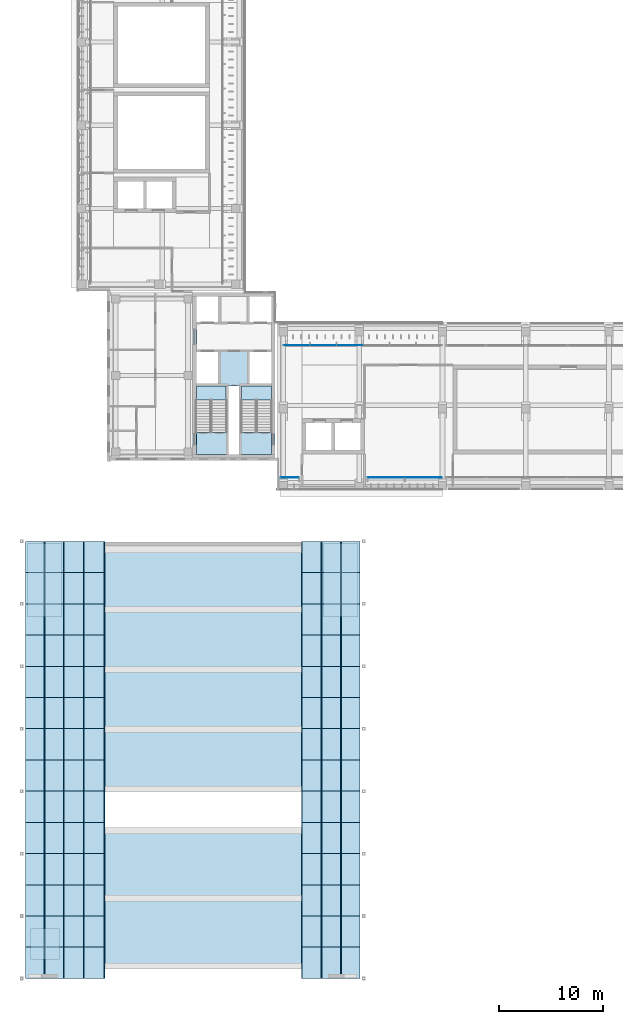
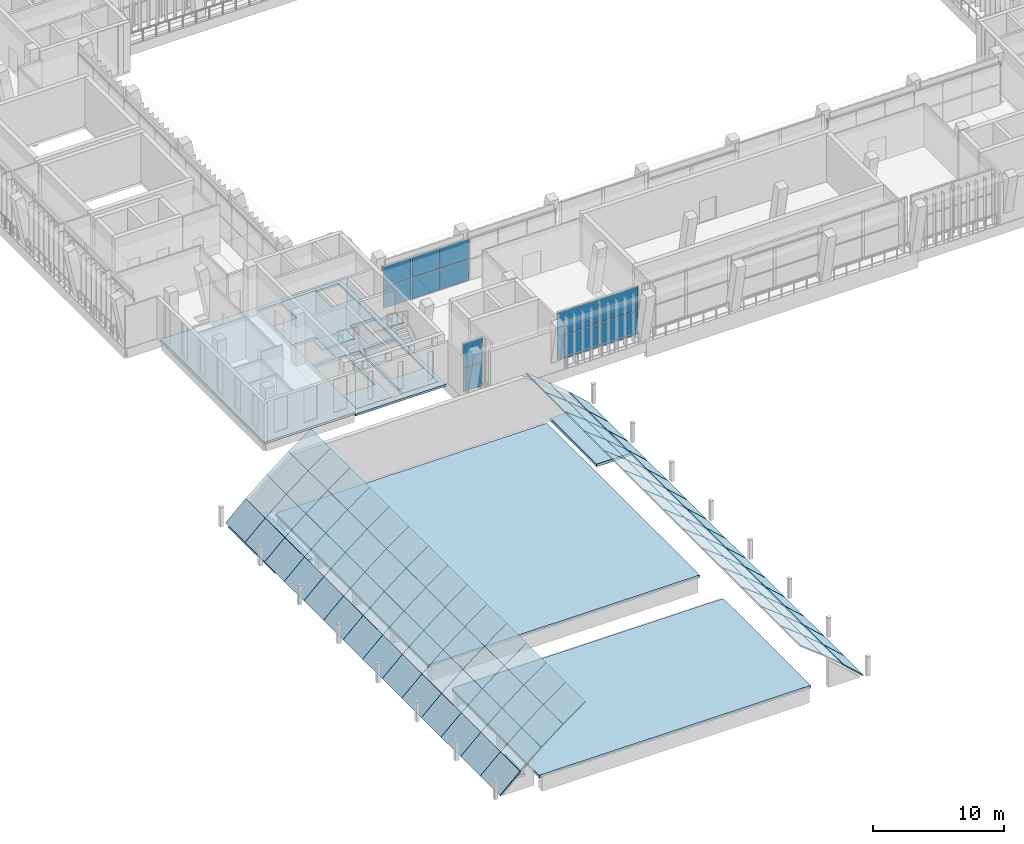
# One storey, part 49 of 89: 107 slabs, 12 plates, 5 elements without a shape of their own.
"""IFC4 building model written with IfcOpenShell, lengths in metres."""

import ifcopenshell
import ifcopenshell.guid

model = None  # the IFC model being written
_history = None  # IfcOwnerHistory: only IFC2X3 demands one
_inside = {}  # id of a spatial element -> (the spatial element, [elements in it])
_under = {}  # id of a project, library or spatial element -> (it, [spatial elements below it])
_declared = {}  # id of a project -> (the project, [libraries it declares])
_typed = {}  # id of a type object -> (the type object, [elements of that type])
_made_of = {}  # id of a material, layer set ... -> (it, [elements and type objects made of it])


def new_model(schema):
    """Start an empty IFC model of exactly this schema.

    Asked for "IFC4X3", IfcOpenShell would pick the latest addendum, in which some entities
    have other attributes; the version numbers below select the first issue.
    IFC2X3 requires an IfcOwnerHistory on every rooted entity: one is made here for all.
    """
    global model, _history
    if schema == "IFC4X3":
        model = ifcopenshell.file(schema_version=(4, 3, 0, 0))
    else:
        model = ifcopenshell.file(schema=schema)
    _inside.clear()
    _under.clear()
    _declared.clear()
    _typed.clear()
    _made_of.clear()
    _history = None
    if model.schema == "IFC2X3":
        org = make("IfcOrganization", Name="unknown")
        user = make(
            "IfcPersonAndOrganization",
            ThePerson=make("IfcPerson", FamilyName="unknown"),
            TheOrganization=org,
        )
        app = make(
            "IfcApplication",
            ApplicationDeveloper=org,
            Version="unknown",
            ApplicationFullName="unknown",
            ApplicationIdentifier="unknown",
        )
        _history = make(
            "IfcOwnerHistory",
            OwningUser=user,
            OwningApplication=app,
            ChangeAction="ADDED",
            CreationDate=0,
        )
    return model


def make(cls, **values):
    """One entity of the class cls with the attributes given. An attribute that is None is left unset."""
    return model.create_entity(
        cls, **{name: value for name, value in values.items() if value is not None}
    )


def rooted(cls, **values):
    """An entity with a GlobalId (a new one), such as an element, a storey or a relation."""
    return make(cls, GlobalId=ifcopenshell.guid.new(), OwnerHistory=_history, **values)


def si_unit(unit_type, name, prefix=None):
    """IfcSIUnit, for example si_unit("LENGTHUNIT", "METRE", prefix="MILLI")."""
    return make("IfcSIUnit", UnitType=unit_type, Prefix=prefix, Name=name)


def assignment(units):
    """IfcUnitAssignment: the units of a project."""
    return None if units is None else make("IfcUnitAssignment", Units=units)


def point(xyz):
    """IfcCartesianPoint."""
    return None if xyz is None else make("IfcCartesianPoint", Coordinates=xyz)


def direction(xyz):
    """IfcDirection."""
    return None if xyz is None else make("IfcDirection", DirectionRatios=xyz)


def frame(location, z_axis=None, x_axis=None):
    """IfcAxis2Placement3D, a coordinate frame: its origin and axes. An axis left out is left unset."""
    return make(
        "IfcAxis2Placement3D",
        Location=point(location),
        Axis=direction(z_axis),
        RefDirection=direction(x_axis),
    )


def frame_2d(location, x_axis=None):
    """IfcAxis2Placement2D, a coordinate frame in the plane: its origin and x axis."""
    return make(
        "IfcAxis2Placement2D", Location=point(location), RefDirection=direction(x_axis)
    )


def origin():
    """The frame at (0, 0, 0) with its axes left unset."""
    return frame((0.0, 0.0, 0.0))


def origin_2d():
    """The frame at (0, 0) in the plane with its x axis left unset."""
    return frame_2d((0.0, 0.0))


def place(relative_to, where):
    """IfcLocalPlacement: puts the frame where relative to a parent placement (None: the world)."""
    return make(
        "IfcLocalPlacement", PlacementRelTo=relative_to, RelativePlacement=where
    )


def context(
    kind, dimensions, precision=None, world=None, true_north=None, identifier=None
):
    """IfcGeometricRepresentationContext, for example the 3D "Model" context."""
    return make(
        "IfcGeometricRepresentationContext",
        ContextIdentifier=identifier,
        ContextType=kind,
        CoordinateSpaceDimension=dimensions,
        Precision=precision,
        WorldCoordinateSystem=world,
        TrueNorth=true_north,
    )


def subcontext(parent, identifier, kind, view, scale=None):
    """IfcGeometricRepresentationSubContext, for example "Body" below "Model"."""
    return make(
        "IfcGeometricRepresentationSubContext",
        ContextIdentifier=identifier,
        ContextType=kind,
        ParentContext=parent,
        TargetScale=scale,
        TargetView=view,
    )


def project(units=None, contexts=None):
    """IfcProject with its units and contexts."""
    return rooted(
        "IfcProject",
        Name="project",
        RepresentationContexts=contexts,
        UnitsInContext=assignment(units),
    )


def spatial(cls, under=None, at=None, **own):
    """A site, building, storey or space (cls), placed at a placement, below another one or the project."""
    s = rooted(cls, ObjectPlacement=at, **own)
    if under is not None:
        _under.setdefault(under.id(), (under, []))[1].append(s)
    return s


def polyline(points):
    """IfcPolyline through the points."""
    return make("IfcPolyline", Points=[point(p) for p in points])


def profile(cls, at=None, kind="AREA", **sizes):
    """A parametric profile (cls). Its sizes go by their IFC names, for example OverallWidth=200.0."""
    return make(cls, ProfileType=kind, Position=at, **sizes)


def rectangle(**sizes):
    """IfcRectangleProfileDef."""
    return profile("IfcRectangleProfileDef", **sizes)


def outline(outer, holes=None, kind="AREA"):
    """IfcArbitraryClosedProfileDef: a profile drawn as a closed curve; with holes, ...WithVoids."""
    if holes is None:
        return make("IfcArbitraryClosedProfileDef", ProfileType=kind, OuterCurve=outer)
    return make(
        "IfcArbitraryProfileDefWithVoids",
        ProfileType=kind,
        OuterCurve=outer,
        InnerCurves=holes,
    )


def extrude(swept, where, along, depth):
    """IfcExtrudedAreaSolid: the profile swept, set in the frame where, extruded along a direction by depth."""
    return make(
        "IfcExtrudedAreaSolid",
        SweptArea=swept,
        Position=where,
        ExtrudedDirection=direction(along),
        Depth=depth,
    )


def shape(context_of_items, identifier, shape_type, items):
    """IfcShapeRepresentation: the items that make up one representation, for example the "Body"."""
    return make(
        "IfcShapeRepresentation",
        ContextOfItems=context_of_items,
        RepresentationIdentifier=identifier,
        RepresentationType=shape_type,
        Items=items,
    )


def material(Name=None, Category=None):
    """IfcMaterial."""
    return make("IfcMaterial", Name=Name, Category=Category)


def layer(
    of_material, thickness, ventilated=None, Name=None, Category=None, Priority=None
):
    """IfcMaterialLayer: one layer of a wall or slab, of a material (None: an air gap)."""
    return make(
        "IfcMaterialLayer",
        Material=of_material,
        LayerThickness=thickness,
        IsVentilated=ventilated,
        Name=Name,
        Category=Category,
        Priority=Priority,
    )


def layer_set(layers, Name=None):
    """IfcMaterialLayerSet."""
    return make("IfcMaterialLayerSet", MaterialLayers=layers, LayerSetName=Name)


def made_of(thing, what):
    """Note that an element or type object is made of a material, layer set ...; save() writes the relation."""
    if what is not None:
        _made_of.setdefault(what.id(), (what, []))[1].append(thing)
    return thing


def type_object(cls, material=None, **own):
    """A type object (cls), such as IfcWallType, which elements share."""
    return made_of(rooted(cls, **own), material)


def element(
    cls,
    number,
    at=None,
    inside=None,
    cuts=None,
    type_object=None,
    material=None,
    context=None,
    identifier="Body",
    shape_type=None,
    held_by="IfcProductDefinitionShape",
    body=None,
    shapes=None,
    **own,
):
    """One element of the class cls, such as IfcWall. Its Tag is "e" and its number.

    at: its placement. inside: the storey or other place that contains it. cuts: it is an
    opening in that element (IfcRelVoidsElement). A single representation is given by context,
    identifier, shape_type and body (its items); several are given by shapes. held_by: the class
    of the entity that holds the representations. save() writes the other relations.
    """
    e = rooted(cls, Tag="e%d" % number, ObjectPlacement=at, **own)
    if body is not None:
        shapes = [shape(context, identifier, shape_type, body)]
    if shapes is not None:
        e.Representation = make(held_by, Representations=shapes)
    if inside is not None:
        _inside.setdefault(inside.id(), (inside, []))[1].append(e)
    if cuts is not None:
        rooted(
            "IfcRelVoidsElement", RelatingBuildingElement=cuts, RelatedOpeningElement=e
        )
    if type_object is not None:
        _typed.setdefault(type_object.id(), (type_object, []))[1].append(e)
    return made_of(e, material)


def aggregate(whole, parts):
    """IfcRelAggregates: a whole, such as a stair, and the parts it consists of."""
    return rooted("IfcRelAggregates", RelatingObject=whole, RelatedObjects=parts)


def save(model, path):
    """Write the relations noted so far, then the file.

    IfcRelAggregates (storeys below a building ...), IfcRelContainedInSpatialStructure (elements
    in a storey), IfcRelDefinesByType, IfcRelAssociatesMaterial and IfcRelDeclares: one each for
    every whole, place, type object, material and project.
    """
    for whole, parts in _under.values():
        aggregate(whole, parts)
    for where, things in _inside.values():
        rooted(
            "IfcRelContainedInSpatialStructure",
            RelatedElements=things,
            RelatingStructure=where,
        )
    for kind, things in _typed.values():
        rooted("IfcRelDefinesByType", RelatedObjects=things, RelatingType=kind)
    for what, things in _made_of.values():
        rooted("IfcRelAssociatesMaterial", RelatedObjects=things, RelatingMaterial=what)
    for by, libraries in _declared.values():
        rooted("IfcRelDeclares", RelatingContext=by, RelatedDefinitions=libraries)
    model.write(path)


model = new_model("IFC4")

# Units and contexts
model_context = context("Model", 3, precision=1e-05, world=origin(), true_north=direction((0.0, 1.0)))
body_context = subcontext(model_context, "Body", "Model", "MODEL_VIEW")
ifc_project = project(units=[si_unit("LENGTHUNIT", "METRE"), si_unit("AREAUNIT", "SQUARE_METRE"), si_unit("VOLUMEUNIT", "CUBIC_METRE"), si_unit("PLANEANGLEUNIT", "RADIAN"), si_unit("MASSUNIT", "GRAM", prefix="KILO")], contexts=[model_context])

# Site, building, storey
site_placement = place(None, origin())
site = spatial("IfcSite", under=ifc_project, at=site_placement, CompositionType="ELEMENT")
building_placement = place(site_placement, origin())
building = spatial("IfcBuilding", under=site, at=building_placement, Name="Lantern Court Media Centre", CompositionType="ELEMENT")
storey_placement = place(building_placement, frame((0.0, 0.0, 14.39990234375)))
storey = spatial("IfcBuildingStorey", under=building, at=storey_placement, Name="L03", CompositionType="ELEMENT", Elevation=14.39990234375)

# Slab
ifc_material_1 = material(Name="Concrete C40", Category="concrete")
ifc_layer_1 = layer(ifc_material_1, 0.25)
ifc_layer_set_1 = layer_set([ifc_layer_1], Name="Concrete C40")
slab_type_1 = type_object("IfcSlabType", Name="Core floor slab 250", PredefinedType="FLOOR", material=ifc_layer_set_1)
slab_1_placement = place(storey_placement, frame((0.0, 0.0, -0.25)))
element("IfcSlab", 1, at=slab_1_placement, inside=storey, type_object=slab_type_1, Name="L03 SW core floor", PredefinedType="FLOOR", context=body_context, shape_type="SweptSolid", body=[
    extrude(outline(polyline([(16.35009765625, 58.199951171875), (16.35009765625, 61.10009765625), (18.449951171875, 61.10009765625), (18.449951171875, 63.550048828125), (21.449951171875, 63.550048828125), (21.449951171875, 61.10009765625), (23.550048828125, 61.10009765625), (23.550048828125, 58.199951171875), (21.449951171875, 58.199951171875), (21.449951171875, 55.199951171875), (23.550048828125, 55.199951171875), (23.550048828125, 54.94970703125), (20.700439453125, 54.94970703125), (20.700439453125, 50.450439453125), (23.550048828125, 50.450439453125), (23.550048828125, 48.35009765625), (20.449951171875, 48.35009765625), (20.449951171875, 54.949951171875), (19.449951171875, 54.949951171875), (19.449951171875, 48.35009765625), (16.35009765625, 48.35009765625), (16.35009765625, 50.450439453125), (19.19970703125, 50.450439453125), (19.19970703125, 54.94970703125), (16.35009765625, 54.94970703125), (16.35009765625, 55.199951171875), (18.449951171875, 55.199951171875), (18.449951171875, 58.199951171875), (16.35009765625, 58.199951171875)])), origin(), (0.0, 0.0, 1.0), 0.25),
])

# Curtain wall, plates
ifc_material_2 = material(Name="Curtain wall bay 2400")
curtain_wall_type_1 = type_object("IfcCurtainWallType", Name="Curtain wall bay 2400", PredefinedType="NOTDEFINED", material=ifc_material_2)
curtain_wall_1_placement = place(storey_placement, origin())
curtain_wall_1 = element("IfcCurtainWall", 2, at=curtain_wall_1_placement, inside=storey, type_object=curtain_wall_type_1, Name="Curtain wall S inner L03", PredefinedType="NOTDEFINED")
ifc_material_3 = material(Name="Low-iron double glazed unit glass", Category="glass")
ifc_layer_2 = layer(ifc_material_3, 0.02392578125)
ifc_layer_set_2 = layer_set([ifc_layer_2], Name="Low-iron double glazed unit glass")
plate_type_1 = type_object("IfcPlateType", Name="Curtain wall glazing unit 24", PredefinedType="CURTAIN_PANEL", material=ifc_layer_set_2)
plate_1_placement = place(storey_placement, frame((25.987548828125, 58.85009765625, 0.050048828125), z_axis=(0.0, 0.0, 1.0), x_axis=(1.0, 0.0, 0.0)))
plate_1 = element("IfcPlate", 3, at=plate_1_placement, type_object=plate_type_1, Name="CW2 panel 1.1", PredefinedType="CURTAIN_PANEL", context=body_context, shape_type="SweptSolid", body=[
    extrude(rectangle(XDim=2.47509765625, YDim=0.02392578125, at=origin_2d()), origin(), (0.0, 0.0, 1.0), 1.89990234375),
])
plate_2_placement = place(storey_placement, frame((25.987548828125, 58.85009765625, 2.000244140625), z_axis=(0.0, 0.0, 1.0), x_axis=(1.0, 0.0, 0.0)))
plate_2 = element("IfcPlate", 4, at=plate_2_placement, type_object=plate_type_1, Name="CW2 panel 1.2", PredefinedType="CURTAIN_PANEL", context=body_context, shape_type="SweptSolid", body=[
    extrude(rectangle(XDim=2.47509765625, YDim=0.02392578125, at=origin_2d()), origin(), (0.0, 0.0, 1.0), 1.89990234375),
])
plate_3_placement = place(storey_placement, frame((28.52490234375, 58.85009765625, 0.050048828125), z_axis=(0.0, 0.0, 1.0), x_axis=(1.0, 0.0, 0.0)))
plate_3 = element("IfcPlate", 5, at=plate_3_placement, type_object=plate_type_1, Name="CW2 panel 2.1", PredefinedType="CURTAIN_PANEL", context=body_context, shape_type="SweptSolid", body=[
    extrude(rectangle(XDim=2.5, YDim=0.02392578125, at=origin_2d()), origin(), (0.0, 0.0, 1.0), 1.89990234375),
])
plate_4_placement = place(storey_placement, frame((28.52490234375, 58.85009765625, 2.000244140625), z_axis=(0.0, 0.0, 1.0), x_axis=(1.0, 0.0, 0.0)))
plate_4 = element("IfcPlate", 6, at=plate_4_placement, type_object=plate_type_1, Name="CW2 panel 2.2", PredefinedType="CURTAIN_PANEL", context=body_context, shape_type="SweptSolid", body=[
    extrude(rectangle(XDim=2.5, YDim=0.02392578125, at=origin_2d()), origin(), (0.0, 0.0, 1.0), 1.89990234375),
])
plate_5_placement = place(storey_placement, frame((31.074951171875, 58.85009765625, 0.050048828125), z_axis=(0.0, 0.0, 1.0), x_axis=(1.0, 0.0, 0.0)))
plate_5 = element("IfcPlate", 7, at=plate_5_placement, type_object=plate_type_1, Name="CW2 panel 3.1", PredefinedType="CURTAIN_PANEL", context=body_context, shape_type="SweptSolid", body=[
    extrude(rectangle(XDim=2.5, YDim=0.02392578125, at=origin_2d()), origin(), (0.0, 0.0, 1.0), 1.89990234375),
])
plate_6_placement = place(storey_placement, frame((31.074951171875, 58.85009765625, 2.000244140625), z_axis=(0.0, 0.0, 1.0), x_axis=(1.0, 0.0, 0.0)))
plate_6 = element("IfcPlate", 8, at=plate_6_placement, type_object=plate_type_1, Name="CW2 panel 3.2", PredefinedType="CURTAIN_PANEL", context=body_context, shape_type="SweptSolid", body=[
    extrude(rectangle(XDim=2.5, YDim=0.02392578125, at=origin_2d()), origin(), (0.0, 0.0, 1.0), 1.89990234375),
])
aggregate(curtain_wall_1, [plate_1, plate_2, plate_3, plate_4, plate_5, plate_6])

ifc_material_4 = material(Name="Curtain wall bay 3000")
curtain_wall_type_2 = type_object("IfcCurtainWallType", Name="Curtain wall bay 3000", PredefinedType="NOTDEFINED", material=ifc_material_4)
curtain_wall_2_placement = place(storey_placement, origin())
curtain_wall_2 = element("IfcCurtainWall", 9, at=curtain_wall_2_placement, inside=storey, type_object=curtain_wall_type_2, Name="Curtain wall S outer L03", PredefinedType="NOTDEFINED")
ifc_layer_3 = layer(ifc_material_3, 0.028076171875)
ifc_layer_set_3 = layer_set([ifc_layer_3], Name="Low-iron double glazed unit glass")
plate_type_2 = type_object("IfcPlateType", Name="Curtain wall glazing unit 28", PredefinedType="CURTAIN_PANEL", material=ifc_layer_set_3)
plate_7_placement = place(storey_placement, frame((25.3349609375, 46.14990234375, 0.06005859375), z_axis=(0.0, 0.0, 1.0), x_axis=(1.0, 0.0, 0.0)))
plate_7 = element("IfcPlate", 10, at=plate_7_placement, type_object=plate_type_2, Name="CW1 panel 1.1", PredefinedType="CURTAIN_PANEL", context=body_context, shape_type="SweptSolid", body=[
    extrude(rectangle(XDim=1.7099609375, YDim=0.028076171875, at=origin_2d()), origin(), (0.0, 0.0, 1.0), 2.199951171875),
])
plate_8_placement = place(storey_placement, frame((25.3349609375, 46.14990234375, 2.3203125), z_axis=(0.0, 0.0, 1.0), x_axis=(1.0, 0.0, 0.0)))
plate_8 = element("IfcPlate", 11, at=plate_8_placement, type_object=plate_type_2, Name="CW1 panel 1.2", PredefinedType="CURTAIN_PANEL", context=body_context, shape_type="SweptSolid", body=[
    extrude(rectangle(XDim=1.7099609375, YDim=0.028076171875, at=origin_2d()), origin(), (0.0, 0.0, 1.0), 2.199951171875),
])
aggregate(curtain_wall_2, [plate_7, plate_8])

curtain_wall_3_placement = place(storey_placement, origin())
curtain_wall_3 = element("IfcCurtainWall", 12, at=curtain_wall_3_placement, inside=storey, type_object=curtain_wall_type_2, Name="Curtain wall S outer L03", PredefinedType="NOTDEFINED")
plate_9_placement = place(storey_placement, frame((34.577392578125, 46.14990234375, 0.06005859375), z_axis=(0.0, 0.0, 1.0), x_axis=(1.0, 0.0, 0.0)))
plate_9 = element("IfcPlate", 13, at=plate_9_placement, type_object=plate_type_2, Name="CW1 panel 1.1", PredefinedType="CURTAIN_PANEL", context=body_context, shape_type="SweptSolid", body=[
    extrude(rectangle(XDim=3.534912109375, YDim=0.028076171875, at=origin_2d()), origin(), (0.0, 0.0, 1.0), 2.199951171875),
])
plate_10_placement = place(storey_placement, frame((34.577392578125, 46.14990234375, 2.3203125), z_axis=(0.0, 0.0, 1.0), x_axis=(1.0, 0.0, 0.0)))
plate_10 = element("IfcPlate", 14, at=plate_10_placement, type_object=plate_type_2, Name="CW1 panel 1.2", PredefinedType="CURTAIN_PANEL", context=body_context, shape_type="SweptSolid", body=[
    extrude(rectangle(XDim=3.534912109375, YDim=0.028076171875, at=origin_2d()), origin(), (0.0, 0.0, 1.0), 2.199951171875),
])
plate_11_placement = place(storey_placement, frame((38.172607421875, 46.14990234375, 0.06005859375), z_axis=(0.0, 0.0, 1.0), x_axis=(1.0, 0.0, 0.0)))
plate_11 = element("IfcPlate", 15, at=plate_11_placement, type_object=plate_type_2, Name="CW1 panel 2.1", PredefinedType="CURTAIN_PANEL", context=body_context, shape_type="SweptSolid", body=[
    extrude(rectangle(XDim=3.534912109375, YDim=0.028076171875, at=origin_2d()), origin(), (0.0, 0.0, 1.0), 2.199951171875),
])
plate_12_placement = place(storey_placement, frame((38.172607421875, 46.14990234375, 2.3203125), z_axis=(0.0, 0.0, 1.0), x_axis=(1.0, 0.0, 0.0)))
plate_12 = element("IfcPlate", 16, at=plate_12_placement, type_object=plate_type_2, Name="CW1 panel 2.2", PredefinedType="CURTAIN_PANEL", context=body_context, shape_type="SweptSolid", body=[
    extrude(rectangle(XDim=3.534912109375, YDim=0.028076171875, at=origin_2d()), origin(), (0.0, 0.0, 1.0), 2.199951171875),
])
aggregate(curtain_wall_3, [plate_9, plate_10, plate_11, plate_12])

# Slabs
ifc_material_5 = material(Name="Zinc standing seam on insulation")
ifc_layer_4 = layer(ifc_material_5, 0.10009765625)
ifc_layer_set_4 = layer_set([ifc_layer_4], Name="Zinc standing seam on insulation")
slab_type_2 = type_object("IfcSlabType", Name="Hall roof panel, standing seam 100", PredefinedType="ROOF", material=ifc_layer_set_4)
for number, where, z_axis, x_axis, name in (
    (17, (-0.06591796875, -2.0, 0.145263671875), (-0.677558628933, 0.0, 0.735468765046), (0.735468765046, 0.0, 0.677558628933), "Cinema Hall roof panel"),
    (18, (-0.06591796875, 1.0, 0.145263671875), (-0.677558628933, 0.0, 0.735468765046), (0.735468765046, 0.0, 0.677558628933), "Cinema Hall roof panel"),
    (19, (-0.06591796875, 4.0, 0.145263671875), (-0.677558628933, 0.0, 0.735468765046), (0.735468765046, 0.0, 0.677558628933), "Cinema Hall roof panel"),
    (20, (-0.06591796875, 7.0, 0.145263671875), (-0.677558628933, 0.0, 0.735468765046), (0.735468765046, 0.0, 0.677558628933), "Cinema Hall roof panel"),
    (21, (-0.06591796875, 10.0, 0.145263671875), (-0.677558628933, 0.0, 0.735468765046), (0.735468765046, 0.0, 0.677558628933), "Cinema Hall roof panel"),
    (22, (-0.06591796875, 13.0, 0.145263671875), (-0.677558628933, 0.0, 0.735468765046), (0.735468765046, 0.0, 0.677558628933), "Cinema Hall roof panel"),
    (23, (-0.06591796875, 16.0, 0.145263671875), (-0.677558628933, 0.0, 0.735468765046), (0.735468765046, 0.0, 0.677558628933), "Cinema Hall roof panel"),
    (24, (-0.06591796875, 19.0, 0.145263671875), (-0.677558628933, 0.0, 0.735468765046), (0.735468765046, 0.0, 0.677558628933), "Cinema Hall roof panel"),
    (25, (-0.06591796875, 22.0, 0.145263671875), (-0.677558628933, 0.0, 0.735468765046), (0.735468765046, 0.0, 0.677558628933), "Cinema Hall roof panel"),
    (26, (-0.06591796875, 25.0, 0.145263671875), (-0.677558628933, 0.0, 0.735468765046), (0.735468765046, 0.0, 0.677558628933), "Cinema Hall roof panel"),
    (27, (-0.06591796875, 28.0, 0.145263671875), (-0.677558628933, 0.0, 0.735468765046), (0.735468765046, 0.0, 0.677558628933), "Cinema Hall roof panel"),
    (28, (-0.06591796875, 31.0, 0.145263671875), (-0.677558628933, 0.0, 0.735468765046), (0.735468765046, 0.0, 0.677558628933), "Cinema Hall roof panel"),
    (29, (-0.06591796875, 34.0, 0.145263671875), (-0.677558628933, 0.0, 0.735468765046), (0.735468765046, 0.0, 0.677558628933), "Cinema Hall roof panel"),
    (30, (-0.06591796875, 37.0, 0.145263671875), (-0.677558628933, 0.0, 0.735468765046), (0.735468765046, 0.0, 0.677558628933), "Cinema Hall roof panel"),
):
    element("IfcSlab", number, at=place(storey_placement, frame(where, z_axis=z_axis, x_axis=x_axis)), inside=storey, type_object=slab_type_2, Name=name, PredefinedType="ROOF", context=body_context, shape_type="SweptSolid", body=[
        extrude(outline(polyline([(0.0, 0.0), (2.4325472202598863, 0.0), (2.4325472202598863, 3.0), (0.0, 3.0), (0.0, 0.0)])), origin(), (0.0, 0.0, -1.0), 0.10009765625),
    ])
for number, where, z_axis, x_axis, name in (
    (31, (1.72998046875, -2.0, 1.799560546875), (-0.64714718828, 0.0, 0.762365080982), (0.762365080982, 0.0, 0.64714718828), "Cinema Hall roof panel"),
    (32, (1.72998046875, 1.0, 1.799560546875), (-0.64714718828, 0.0, 0.762365080982), (0.762365080982, 0.0, 0.64714718828), "Cinema Hall roof panel"),
    (33, (1.72998046875, 4.0, 1.799560546875), (-0.64714718828, 0.0, 0.762365080982), (0.762365080982, 0.0, 0.64714718828), "Cinema Hall roof panel"),
    (34, (1.72998046875, 7.0, 1.799560546875), (-0.64714718828, 0.0, 0.762365080982), (0.762365080982, 0.0, 0.64714718828), "Cinema Hall roof panel"),
    (35, (1.72998046875, 10.0, 1.799560546875), (-0.64714718828, 0.0, 0.762365080982), (0.762365080982, 0.0, 0.64714718828), "Cinema Hall roof panel"),
    (36, (1.72998046875, 13.0, 1.799560546875), (-0.64714718828, 0.0, 0.762365080982), (0.762365080982, 0.0, 0.64714718828), "Cinema Hall roof panel"),
    (37, (1.72998046875, 16.0, 1.799560546875), (-0.64714718828, 0.0, 0.762365080982), (0.762365080982, 0.0, 0.64714718828), "Cinema Hall roof panel"),
    (38, (1.72998046875, 19.0, 1.799560546875), (-0.64714718828, 0.0, 0.762365080982), (0.762365080982, 0.0, 0.64714718828), "Cinema Hall roof panel"),
    (39, (1.72998046875, 22.0, 1.799560546875), (-0.64714718828, 0.0, 0.762365080982), (0.762365080982, 0.0, 0.64714718828), "Cinema Hall roof panel"),
    (40, (1.72998046875, 25.0, 1.799560546875), (-0.64714718828, 0.0, 0.762365080982), (0.762365080982, 0.0, 0.64714718828), "Cinema Hall roof panel"),
    (41, (1.72998046875, 28.0, 1.799560546875), (-0.64714718828, 0.0, 0.762365080982), (0.762365080982, 0.0, 0.64714718828), "Cinema Hall roof panel"),
    (42, (1.72998046875, 31.0, 1.799560546875), (-0.64714718828, 0.0, 0.762365080982), (0.762365080982, 0.0, 0.64714718828), "Cinema Hall roof panel"),
    (43, (1.72998046875, 34.0, 1.799560546875), (-0.64714718828, 0.0, 0.762365080982), (0.762365080982, 0.0, 0.64714718828), "Cinema Hall roof panel"),
    (44, (1.72998046875, 37.0, 1.799560546875), (-0.64714718828, 0.0, 0.762365080982), (0.762365080982, 0.0, 0.64714718828), "Cinema Hall roof panel"),
):
    element("IfcSlab", number, at=place(storey_placement, frame(where, z_axis=z_axis, x_axis=x_axis)), inside=storey, type_object=slab_type_2, Name=name, PredefinedType="ROOF", context=body_context, shape_type="SweptSolid", body=[
        extrude(outline(polyline([(0.0, 0.0), (2.432551324504808, 0.0), (2.432551324504808, 3.0), (0.0, 3.0), (0.0, 0.0)])), origin(), (0.0, 0.0, -1.0), 0.10009765625),
    ])
for number, where, z_axis, x_axis, name in (
    (45, (3.59130859375, -2.0, 3.379638671875), (-0.615620670557, 0.0, 0.788042632085), (0.788042632085, 0.0, 0.615620670557), "Cinema Hall roof panel"),
    (46, (3.59130859375, 1.0, 3.379638671875), (-0.615620670557, 0.0, 0.788042632085), (0.788042632085, 0.0, 0.615620670557), "Cinema Hall roof panel"),
    (47, (3.59130859375, 4.0, 3.379638671875), (-0.615620670557, 0.0, 0.788042632085), (0.788042632085, 0.0, 0.615620670557), "Cinema Hall roof panel"),
    (48, (3.59130859375, 7.0, 3.379638671875), (-0.615620670557, 0.0, 0.788042632085), (0.788042632085, 0.0, 0.615620670557), "Cinema Hall roof panel"),
    (49, (3.59130859375, 10.0, 3.379638671875), (-0.615620670557, 0.0, 0.788042632085), (0.788042632085, 0.0, 0.615620670557), "Cinema Hall roof panel"),
    (50, (3.59130859375, 13.0, 3.379638671875), (-0.615620670557, 0.0, 0.788042632085), (0.788042632085, 0.0, 0.615620670557), "Cinema Hall roof panel"),
    (51, (3.59130859375, 16.0, 3.379638671875), (-0.615620670557, 0.0, 0.788042632085), (0.788042632085, 0.0, 0.615620670557), "Cinema Hall roof panel"),
    (52, (3.59130859375, 19.0, 3.379638671875), (-0.615620670557, 0.0, 0.788042632085), (0.788042632085, 0.0, 0.615620670557), "Cinema Hall roof panel"),
    (53, (3.59130859375, 22.0, 3.379638671875), (-0.615620670557, 0.0, 0.788042632085), (0.788042632085, 0.0, 0.615620670557), "Cinema Hall roof panel"),
    (54, (3.59130859375, 25.0, 3.379638671875), (-0.615620670557, 0.0, 0.788042632085), (0.788042632085, 0.0, 0.615620670557), "Cinema Hall roof panel"),
    (55, (3.59130859375, 28.0, 3.379638671875), (-0.615620670557, 0.0, 0.788042632085), (0.788042632085, 0.0, 0.615620670557), "Cinema Hall roof panel"),
    (56, (3.59130859375, 31.0, 3.379638671875), (-0.615620670557, 0.0, 0.788042632085), (0.788042632085, 0.0, 0.615620670557), "Cinema Hall roof panel"),
    (57, (3.59130859375, 34.0, 3.379638671875), (-0.615620670557, 0.0, 0.788042632085), (0.788042632085, 0.0, 0.615620670557), "Cinema Hall roof panel"),
    (58, (3.59130859375, 37.0, 3.379638671875), (-0.615620670557, 0.0, 0.788042632085), (0.788042632085, 0.0, 0.615620670557), "Cinema Hall roof panel"),
):
    element("IfcSlab", number, at=place(storey_placement, frame(where, z_axis=z_axis, x_axis=x_axis)), inside=storey, type_object=slab_type_2, Name=name, PredefinedType="ROOF", context=body_context, shape_type="SweptSolid", body=[
        extrude(outline(polyline([(0.0, 0.0), (2.4325995948060406, 0.0), (2.4325995948060406, 3.0), (0.0, 3.0), (0.0, 0.0)])), origin(), (0.0, 0.0, -1.0), 0.10009765625),
    ])
for number, where, z_axis, x_axis, name in (
    (59, (5.515625, -2.0, 4.8828125), (-0.583135456746, 0.0, 0.812374937505), (0.812374937505, 0.0, 0.583135456746), "Cinema Hall roof panel"),
    (60, (5.515625, 1.0, 4.8828125), (-0.583135456746, 0.0, 0.812374937505), (0.812374937505, 0.0, 0.583135456746), "Cinema Hall roof panel"),
    (61, (5.515625, 4.0, 4.8828125), (-0.583135456746, 0.0, 0.812374937505), (0.812374937505, 0.0, 0.583135456746), "Cinema Hall roof panel"),
    (62, (5.515625, 7.0, 4.8828125), (-0.583135456746, 0.0, 0.812374937505), (0.812374937505, 0.0, 0.583135456746), "Cinema Hall roof panel"),
    (63, (5.515625, 10.0, 4.8828125), (-0.583135456746, 0.0, 0.812374937505), (0.812374937505, 0.0, 0.583135456746), "Cinema Hall roof panel"),
    (64, (5.515625, 13.0, 4.8828125), (-0.583135456746, 0.0, 0.812374937505), (0.812374937505, 0.0, 0.583135456746), "Cinema Hall roof panel"),
    (65, (5.515625, 16.0, 4.8828125), (-0.583135456746, 0.0, 0.812374937505), (0.812374937505, 0.0, 0.583135456746), "Cinema Hall roof panel"),
    (66, (5.515625, 19.0, 4.8828125), (-0.583135456746, 0.0, 0.812374937505), (0.812374937505, 0.0, 0.583135456746), "Cinema Hall roof panel"),
    (67, (5.515625, 22.0, 4.8828125), (-0.583135456746, 0.0, 0.812374937505), (0.812374937505, 0.0, 0.583135456746), "Cinema Hall roof panel"),
    (68, (5.515625, 25.0, 4.8828125), (-0.583135456746, 0.0, 0.812374937505), (0.812374937505, 0.0, 0.583135456746), "Cinema Hall roof panel"),
    (69, (5.515625, 28.0, 4.8828125), (-0.583135456746, 0.0, 0.812374937505), (0.812374937505, 0.0, 0.583135456746), "Cinema Hall roof panel"),
    (70, (5.515625, 31.0, 4.8828125), (-0.583135456746, 0.0, 0.812374937505), (0.812374937505, 0.0, 0.583135456746), "Cinema Hall roof panel"),
    (71, (5.515625, 34.0, 4.8828125), (-0.583135456746, 0.0, 0.812374937505), (0.812374937505, 0.0, 0.583135456746), "Cinema Hall roof panel"),
    (72, (5.515625, 37.0, 4.8828125), (-0.583135456746, 0.0, 0.812374937505), (0.812374937505, 0.0, 0.583135456746), "Cinema Hall roof panel"),
):
    element("IfcSlab", number, at=place(storey_placement, frame(where, z_axis=z_axis, x_axis=x_axis)), inside=storey, type_object=slab_type_2, Name=name, PredefinedType="ROOF", context=body_context, shape_type="SweptSolid", body=[
        extrude(outline(polyline([(0.0, 0.0), (2.4324657587540646, 0.0), (2.4324657587540646, 3.0), (0.0, 3.0), (0.0, 0.0)])), origin(), (0.0, 0.0, -1.0), 0.10009765625),
    ])
for number, where, z_axis, x_axis, name in (
    (73, (26.49169921875, -2.0, 4.877197265625), (0.615620670557, 0.0, 0.788042632085), (0.788042632085, 0.0, -0.615620670557), "Cinema Hall roof panel"),
    (74, (26.49169921875, 1.0, 4.877197265625), (0.615620670557, 0.0, 0.788042632085), (0.788042632085, 0.0, -0.615620670557), "Cinema Hall roof panel"),
    (75, (26.49169921875, 4.0, 4.877197265625), (0.615620670557, 0.0, 0.788042632085), (0.788042632085, 0.0, -0.615620670557), "Cinema Hall roof panel"),
    (76, (26.49169921875, 7.0, 4.877197265625), (0.615620670557, 0.0, 0.788042632085), (0.788042632085, 0.0, -0.615620670557), "Cinema Hall roof panel"),
    (77, (26.49169921875, 10.0, 4.877197265625), (0.615620670557, 0.0, 0.788042632085), (0.788042632085, 0.0, -0.615620670557), "Cinema Hall roof panel"),
    (78, (26.49169921875, 13.0, 4.877197265625), (0.615620670557, 0.0, 0.788042632085), (0.788042632085, 0.0, -0.615620670557), "Cinema Hall roof panel"),
    (79, (26.49169921875, 16.0, 4.877197265625), (0.615620670557, 0.0, 0.788042632085), (0.788042632085, 0.0, -0.615620670557), "Cinema Hall roof panel"),
    (80, (26.49169921875, 19.0, 4.877197265625), (0.615620670557, 0.0, 0.788042632085), (0.788042632085, 0.0, -0.615620670557), "Cinema Hall roof panel"),
    (81, (26.49169921875, 22.0, 4.877197265625), (0.615620670557, 0.0, 0.788042632085), (0.788042632085, 0.0, -0.615620670557), "Cinema Hall roof panel"),
    (82, (26.49169921875, 25.0, 4.877197265625), (0.615620670557, 0.0, 0.788042632085), (0.788042632085, 0.0, -0.615620670557), "Cinema Hall roof panel"),
    (83, (26.49169921875, 28.0, 4.877197265625), (0.615620670557, 0.0, 0.788042632085), (0.788042632085, 0.0, -0.615620670557), "Cinema Hall roof panel"),
    (84, (26.49169921875, 31.0, 4.877197265625), (0.615620670557, 0.0, 0.788042632085), (0.788042632085, 0.0, -0.615620670557), "Cinema Hall roof panel"),
    (85, (26.49169921875, 34.0, 4.877197265625), (0.615620670557, 0.0, 0.788042632085), (0.788042632085, 0.0, -0.615620670557), "Cinema Hall roof panel"),
    (86, (26.49169921875, 37.0, 4.877197265625), (0.615620670557, 0.0, 0.788042632085), (0.788042632085, 0.0, -0.615620670557), "Cinema Hall roof panel"),
):
    element("IfcSlab", number, at=place(storey_placement, frame(where, z_axis=z_axis, x_axis=x_axis)), inside=storey, type_object=slab_type_2, Name=name, PredefinedType="ROOF", context=body_context, shape_type="SweptSolid", body=[
        extrude(outline(polyline([(0.0, 0.0), (2.4325995948060406, 0.0), (2.4325995948060406, 3.0), (0.0, 3.0), (0.0, 0.0)])), origin(), (0.0, 0.0, -1.0), 0.10009765625),
    ])
for number, where, z_axis, x_axis, name in (
    (87, (28.41552734375, -2.0, 3.373779296875), (0.64714718828, 0.0, 0.762365080982), (0.762365080982, 0.0, -0.64714718828), "Cinema Hall roof panel"),
    (88, (28.41552734375, 1.0, 3.373779296875), (0.64714718828, 0.0, 0.762365080982), (0.762365080982, 0.0, -0.64714718828), "Cinema Hall roof panel"),
    (89, (28.41552734375, 4.0, 3.373779296875), (0.64714718828, 0.0, 0.762365080982), (0.762365080982, 0.0, -0.64714718828), "Cinema Hall roof panel"),
    (90, (28.41552734375, 7.0, 3.373779296875), (0.64714718828, 0.0, 0.762365080982), (0.762365080982, 0.0, -0.64714718828), "Cinema Hall roof panel"),
    (91, (28.41552734375, 10.0, 3.373779296875), (0.64714718828, 0.0, 0.762365080982), (0.762365080982, 0.0, -0.64714718828), "Cinema Hall roof panel"),
    (92, (28.41552734375, 13.0, 3.373779296875), (0.64714718828, 0.0, 0.762365080982), (0.762365080982, 0.0, -0.64714718828), "Cinema Hall roof panel"),
    (93, (28.41552734375, 16.0, 3.373779296875), (0.64714718828, 0.0, 0.762365080982), (0.762365080982, 0.0, -0.64714718828), "Cinema Hall roof panel"),
    (94, (28.41552734375, 19.0, 3.373779296875), (0.64714718828, 0.0, 0.762365080982), (0.762365080982, 0.0, -0.64714718828), "Cinema Hall roof panel"),
    (95, (28.41552734375, 22.0, 3.373779296875), (0.64714718828, 0.0, 0.762365080982), (0.762365080982, 0.0, -0.64714718828), "Cinema Hall roof panel"),
    (96, (28.41552734375, 25.0, 3.373779296875), (0.64714718828, 0.0, 0.762365080982), (0.762365080982, 0.0, -0.64714718828), "Cinema Hall roof panel"),
    (97, (28.41552734375, 28.0, 3.373779296875), (0.64714718828, 0.0, 0.762365080982), (0.762365080982, 0.0, -0.64714718828), "Cinema Hall roof panel"),
    (98, (28.41552734375, 31.0, 3.373779296875), (0.64714718828, 0.0, 0.762365080982), (0.762365080982, 0.0, -0.64714718828), "Cinema Hall roof panel"),
    (99, (28.41552734375, 34.0, 3.373779296875), (0.64714718828, 0.0, 0.762365080982), (0.762365080982, 0.0, -0.64714718828), "Cinema Hall roof panel"),
    (100, (28.41552734375, 37.0, 3.373779296875), (0.64714718828, 0.0, 0.762365080982), (0.762365080982, 0.0, -0.64714718828), "Cinema Hall roof panel"),
):
    element("IfcSlab", number, at=place(storey_placement, frame(where, z_axis=z_axis, x_axis=x_axis)), inside=storey, type_object=slab_type_2, Name=name, PredefinedType="ROOF", context=body_context, shape_type="SweptSolid", body=[
        extrude(outline(polyline([(0.0, 0.0), (2.432551324504808, 0.0), (2.432551324504808, 3.0), (0.0, 3.0), (0.0, 0.0)])), origin(), (0.0, 0.0, -1.0), 0.10009765625),
    ])
for number, where, z_axis, x_axis, name in (
    (101, (30.27685546875, -2.0, 1.79345703125), (0.677558628933, 0.0, 0.735468765046), (0.735468765046, 0.0, -0.677558628933), "Cinema Hall roof panel"),
    (102, (30.27685546875, 1.0, 1.79345703125), (0.677558628933, 0.0, 0.735468765046), (0.735468765046, 0.0, -0.677558628933), "Cinema Hall roof panel"),
    (103, (30.27685546875, 4.0, 1.79345703125), (0.677558628933, 0.0, 0.735468765046), (0.735468765046, 0.0, -0.677558628933), "Cinema Hall roof panel"),
    (104, (30.27685546875, 7.0, 1.79345703125), (0.677558628933, 0.0, 0.735468765046), (0.735468765046, 0.0, -0.677558628933), "Cinema Hall roof panel"),
    (105, (30.27685546875, 10.0, 1.79345703125), (0.677558628933, 0.0, 0.735468765046), (0.735468765046, 0.0, -0.677558628933), "Cinema Hall roof panel"),
    (106, (30.27685546875, 13.0, 1.79345703125), (0.677558628933, 0.0, 0.735468765046), (0.735468765046, 0.0, -0.677558628933), "Cinema Hall roof panel"),
    (107, (30.27685546875, 16.0, 1.79345703125), (0.677558628933, 0.0, 0.735468765046), (0.735468765046, 0.0, -0.677558628933), "Cinema Hall roof panel"),
    (108, (30.27685546875, 19.0, 1.79345703125), (0.677558628933, 0.0, 0.735468765046), (0.735468765046, 0.0, -0.677558628933), "Cinema Hall roof panel"),
    (109, (30.27685546875, 22.0, 1.79345703125), (0.677558628933, 0.0, 0.735468765046), (0.735468765046, 0.0, -0.677558628933), "Cinema Hall roof panel"),
    (110, (30.27685546875, 25.0, 1.79345703125), (0.677558628933, 0.0, 0.735468765046), (0.735468765046, 0.0, -0.677558628933), "Cinema Hall roof panel"),
    (111, (30.27685546875, 28.0, 1.79345703125), (0.677558628933, 0.0, 0.735468765046), (0.735468765046, 0.0, -0.677558628933), "Cinema Hall roof panel"),
    (112, (30.27685546875, 31.0, 1.79345703125), (0.677558628933, 0.0, 0.735468765046), (0.735468765046, 0.0, -0.677558628933), "Cinema Hall roof panel"),
    (113, (30.27685546875, 34.0, 1.79345703125), (0.677558628933, 0.0, 0.735468765046), (0.735468765046, 0.0, -0.677558628933), "Cinema Hall roof panel"),
    (114, (30.27685546875, 37.0, 1.79345703125), (0.677558628933, 0.0, 0.735468765046), (0.735468765046, 0.0, -0.677558628933), "Cinema Hall roof panel"),
):
    element("IfcSlab", number, at=place(storey_placement, frame(where, z_axis=z_axis, x_axis=x_axis)), inside=storey, type_object=slab_type_2, Name=name, PredefinedType="ROOF", context=body_context, shape_type="SweptSolid", body=[
        extrude(outline(polyline([(0.0, 0.0), (2.4325472202598863, 0.0), (2.4325472202598863, 3.0), (0.0, 3.0), (0.0, 0.0)])), origin(), (0.0, 0.0, -1.0), 0.10009765625),
    ])
ifc_layer_5 = layer(ifc_material_1, 0.25)
ifc_layer_set_5 = layer_set([ifc_layer_5], Name="Concrete C40")
slab_type_3 = type_object("IfcSlabType", Name="Head-house roof slab 250", PredefinedType="ROOF", material=ifc_layer_set_5)
slab_2_placement = place(storey_placement, frame((0.0, 0.0, -0.25)))
element("IfcSlab", 115, at=slab_2_placement, inside=storey, type_object=slab_type_3, Name="V1-ST-W shaft lid", PredefinedType="ROOF", context=body_context, shape_type="SweptSolid", body=[
    extrude(outline(polyline([(0.10009765625, 32.75), (3.449951171875, 32.75), (3.449951171875, 39.85009765625), (0.10009765625, 39.85009765625), (0.10009765625, 32.75)])), origin(), (0.0, 0.0, 1.0), 0.25),
])
slab_3_placement = place(storey_placement, frame((0.0, 0.0, -0.25)))
element("IfcSlab", 116, at=slab_3_placement, inside=storey, type_object=slab_type_3, Name="V1-ST-E shaft lid", PredefinedType="ROOF", context=body_context, shape_type="SweptSolid", body=[
    extrude(outline(polyline([(28.550048828125, 32.75), (31.89990234375, 32.75), (31.89990234375, 39.85009765625), (28.550048828125, 39.85009765625), (28.550048828125, 32.75)])), origin(), (0.0, 0.0, 1.0), 0.25),
])
slab_4_placement = place(storey_placement, frame((0.0, 0.0, -0.25)))
element("IfcSlab", 117, at=slab_4_placement, inside=storey, type_object=slab_type_3, Name="V1-LIFT shaft lid", PredefinedType="ROOF", context=body_context, shape_type="SweptSolid", body=[
    extrude(outline(polyline([(0.39990234375, -0.199951171875), (3.199951171875, -0.199951171875), (3.199951171875, 2.800048828125), (0.39990234375, 2.800048828125), (0.39990234375, -0.199951171875)])), origin(), (0.0, 0.0, 1.0), 0.25),
])
ifc_material_6 = material(Name="Concrete C35", Category="concrete")
ifc_layer_6 = layer(ifc_material_6, 0.199951171875)
ifc_layer_set_6 = layer_set([ifc_layer_6], Name="Concrete C35")
slab_type_4 = type_object("IfcSlabType", Name="RC FLOOR SLAB 200", PredefinedType="FLOOR", material=ifc_layer_set_6)
slab_5_placement = place(storey_placement, frame((0.0, 0.0, -0.199951171875)))
element("IfcSlab", 118, at=slab_5_placement, inside=storey, type_object=slab_type_4, Name="SL-SW-L03", PredefinedType="FLOOR", context=body_context, shape_type="SweptSolid", body=[
    extrude(outline(polyline([(8.0, 63.89990234375), (23.89990234375, 63.89990234375), (23.89990234375, 48.0), (23.89990234375, 47.780029296875), (15.89990234375, 47.780029296875), (15.89990234375, 48.0), (8.0, 48.0), (8.0, 63.89990234375)]), holes=[polyline([(16.35009765625, 63.550048828125), (16.35009765625, 48.35009765625), (23.550048828125, 48.35009765625), (23.550048828125, 63.550048828125), (16.35009765625, 63.550048828125)])]), origin(), (0.0, 0.0, 1.0), 0.199951171875),
])
ifc_layer_7 = layer(ifc_material_6, 0.25)
ifc_layer_set_7 = layer_set([ifc_layer_7], Name="Concrete C35")
slab_type_5 = type_object("IfcSlabType", Name="RC ROOF SLAB 250", PredefinedType="ROOF", material=ifc_layer_set_7)
slab_6_placement = place(storey_placement, frame((0.0, 0.0, -0.25)))
element("IfcSlab", 119, at=slab_6_placement, inside=storey, type_object=slab_type_5, Name="SL-V1-V1-SC1-ROOF", PredefinedType="ROOF", context=body_context, shape_type="SweptSolid", body=[
    extrude(outline(polyline([(28.0, 16.0), (28.0, 39.39990234375), (4.0, 39.39990234375), (4.0, 16.0), (28.0, 16.0)])), origin(), (0.0, 0.0, 1.0), 0.25),
])
slab_7_placement = place(storey_placement, frame((0.0, 0.0, -0.25)))
element("IfcSlab", 120, at=slab_7_placement, inside=storey, type_object=slab_type_5, Name="SL-V1-V1-SC2-ROOF", PredefinedType="ROOF", context=body_context, shape_type="SweptSolid", body=[
    extrude(outline(polyline([(28.0, -1.0), (28.0, 12.39990234375), (4.0, 12.39990234375), (4.0, -1.0), (28.0, -1.0)])), origin(), (0.0, 0.0, 1.0), 0.25),
])

# Stair, slab
stair_type = type_object("IfcStairType", Name="Exit stair 1350", PredefinedType="HALF_TURN_STAIR", material=ifc_material_1)
stair_1_placement = place(storey_placement, origin())
stair_1 = element("IfcStair", 121, at=stair_1_placement, inside=storey, type_object=stair_type, Name="L03 SW exit stair A", PredefinedType="HALF_TURN_STAIR")
ifc_layer_8 = layer(ifc_material_1, 0.199951171875)
ifc_layer_set_8 = layer_set([ifc_layer_8], Name="Concrete C40")
slab_type_6 = type_object("IfcSlabType", Name="Stair landing RC 200", PredefinedType="LANDING", material=ifc_layer_set_8)
slab_8_placement = place(storey_placement, frame((0.0, 0.0, 2.2001953125)))
slab_8 = element("IfcSlab", 122, at=slab_8_placement, type_object=slab_type_6, Name="ST-SWA landing 1", PredefinedType="LANDING", context=body_context, shape_type="SweptSolid", body=[
    extrude(outline(polyline([(19.199951171875, 53.570068359375), (19.199951171875, 54.949951171875), (16.35009765625, 54.949951171875), (16.35009765625, 53.570068359375), (19.199951171875, 53.570068359375)])), origin(), (0.0, 0.0, 1.0), 0.199951171875),
])
aggregate(stair_1, [slab_8])

stair_2_placement = place(storey_placement, origin())
stair_2 = element("IfcStair", 123, at=stair_2_placement, inside=storey, type_object=stair_type, Name="L03 SW exit stair B", PredefinedType="HALF_TURN_STAIR")
slab_9_placement = place(storey_placement, frame((0.0, 0.0, 2.2001953125)))
slab_9 = element("IfcSlab", 124, at=slab_9_placement, type_object=slab_type_6, Name="ST-SWB landing 1", PredefinedType="LANDING", context=body_context, shape_type="SweptSolid", body=[
    extrude(outline(polyline([(23.550048828125, 53.570068359375), (23.550048828125, 54.949951171875), (20.699951171875, 54.949951171875), (20.699951171875, 53.570068359375), (23.550048828125, 53.570068359375)])), origin(), (0.0, 0.0, 1.0), 0.199951171875),
])
aggregate(stair_2, [slab_9])

save(model, "model.ifc")
